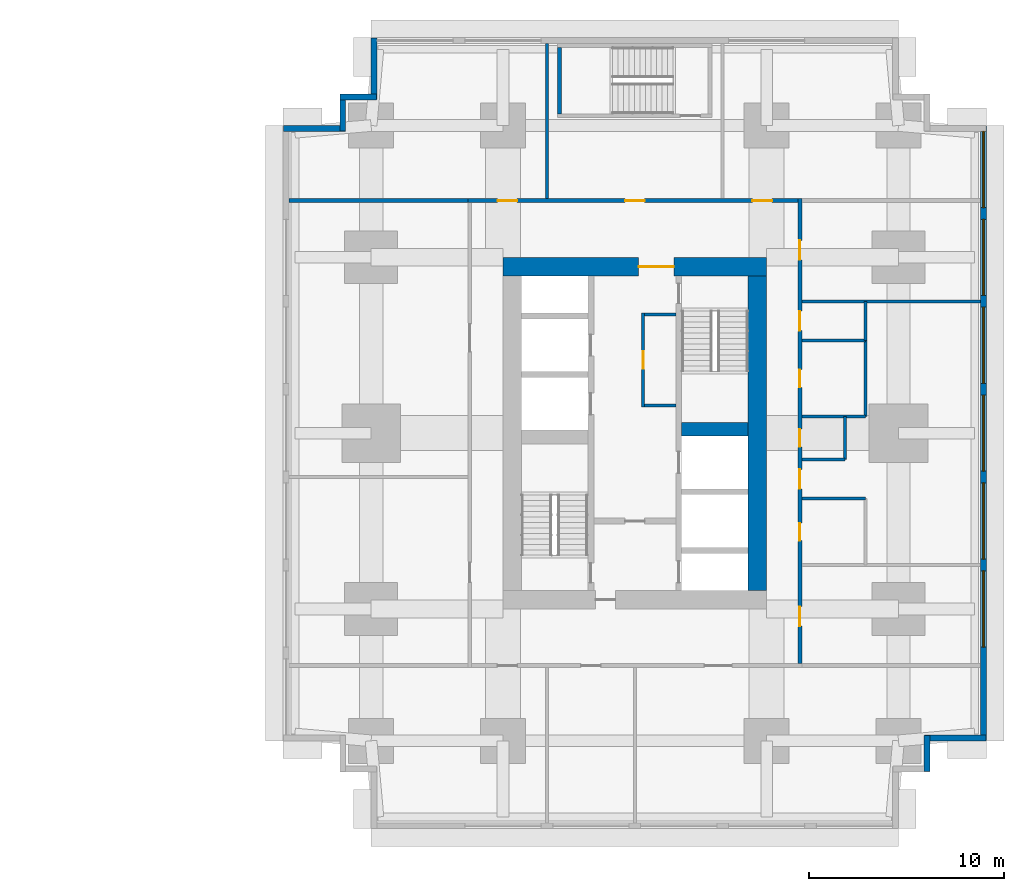
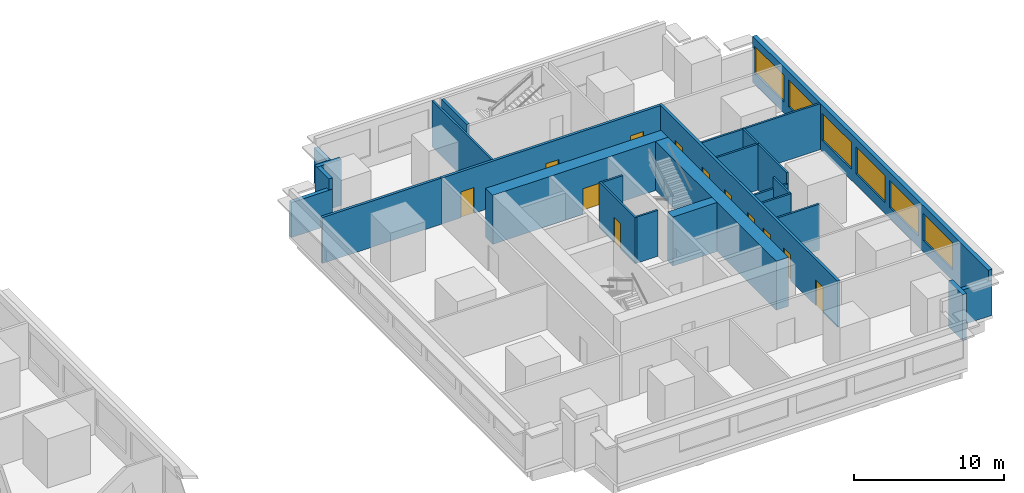
# One storey, part 7 of 11: 26 walls, 12 doors, 6 windows, 18 openings.
"""IFC4 building model written with IfcOpenShell, lengths in metres."""

import ifcopenshell
import ifcopenshell.guid

model = None  # the IFC model being written
_history = None  # IfcOwnerHistory: only IFC2X3 demands one
_inside = {}  # id of a spatial element -> (the spatial element, [elements in it])
_under = {}  # id of a project, library or spatial element -> (it, [spatial elements below it])
_declared = {}  # id of a project -> (the project, [libraries it declares])
_typed = {}  # id of a type object -> (the type object, [elements of that type])
_made_of = {}  # id of a material, layer set ... -> (it, [elements and type objects made of it])


def new_model(schema):
    """Start an empty IFC model of exactly this schema.

    Asked for "IFC4X3", IfcOpenShell would pick the latest addendum, in which some entities
    have other attributes; the version numbers below select the first issue.
    IFC2X3 requires an IfcOwnerHistory on every rooted entity: one is made here for all.
    """
    global model, _history
    if schema == "IFC4X3":
        model = ifcopenshell.file(schema_version=(4, 3, 0, 0))
    else:
        model = ifcopenshell.file(schema=schema)
    _inside.clear()
    _under.clear()
    _declared.clear()
    _typed.clear()
    _made_of.clear()
    _history = None
    if model.schema == "IFC2X3":
        org = make("IfcOrganization", Name="unknown")
        user = make(
            "IfcPersonAndOrganization",
            ThePerson=make("IfcPerson", FamilyName="unknown"),
            TheOrganization=org,
        )
        app = make(
            "IfcApplication",
            ApplicationDeveloper=org,
            Version="unknown",
            ApplicationFullName="unknown",
            ApplicationIdentifier="unknown",
        )
        _history = make(
            "IfcOwnerHistory",
            OwningUser=user,
            OwningApplication=app,
            ChangeAction="ADDED",
            CreationDate=0,
        )
    return model


def make(cls, **values):
    """One entity of the class cls with the attributes given. An attribute that is None is left unset."""
    return model.create_entity(
        cls, **{name: value for name, value in values.items() if value is not None}
    )


def rooted(cls, **values):
    """An entity with a GlobalId (a new one), such as an element, a storey or a relation."""
    return make(cls, GlobalId=ifcopenshell.guid.new(), OwnerHistory=_history, **values)


def si_unit(unit_type, name, prefix=None):
    """IfcSIUnit, for example si_unit("LENGTHUNIT", "METRE", prefix="MILLI")."""
    return make("IfcSIUnit", UnitType=unit_type, Prefix=prefix, Name=name)


def assignment(units):
    """IfcUnitAssignment: the units of a project."""
    return None if units is None else make("IfcUnitAssignment", Units=units)


def point(xyz):
    """IfcCartesianPoint."""
    return None if xyz is None else make("IfcCartesianPoint", Coordinates=xyz)


def direction(xyz):
    """IfcDirection."""
    return None if xyz is None else make("IfcDirection", DirectionRatios=xyz)


def frame(location, z_axis=None, x_axis=None):
    """IfcAxis2Placement3D, a coordinate frame: its origin and axes. An axis left out is left unset."""
    return make(
        "IfcAxis2Placement3D",
        Location=point(location),
        Axis=direction(z_axis),
        RefDirection=direction(x_axis),
    )


def frame_2d(location, x_axis=None):
    """IfcAxis2Placement2D, a coordinate frame in the plane: its origin and x axis."""
    return make(
        "IfcAxis2Placement2D", Location=point(location), RefDirection=direction(x_axis)
    )


def origin():
    """The frame at (0, 0, 0) with its axes left unset."""
    return frame((0.0, 0.0, 0.0))


def place(relative_to, where):
    """IfcLocalPlacement: puts the frame where relative to a parent placement (None: the world)."""
    return make(
        "IfcLocalPlacement", PlacementRelTo=relative_to, RelativePlacement=where
    )


def context(
    kind, dimensions, precision=None, world=None, true_north=None, identifier=None
):
    """IfcGeometricRepresentationContext, for example the 3D "Model" context."""
    return make(
        "IfcGeometricRepresentationContext",
        ContextIdentifier=identifier,
        ContextType=kind,
        CoordinateSpaceDimension=dimensions,
        Precision=precision,
        WorldCoordinateSystem=world,
        TrueNorth=true_north,
    )


def subcontext(parent, identifier, kind, view, scale=None):
    """IfcGeometricRepresentationSubContext, for example "Body" below "Model"."""
    return make(
        "IfcGeometricRepresentationSubContext",
        ContextIdentifier=identifier,
        ContextType=kind,
        ParentContext=parent,
        TargetScale=scale,
        TargetView=view,
    )


def project(units=None, contexts=None):
    """IfcProject with its units and contexts."""
    return rooted(
        "IfcProject",
        Name="project",
        RepresentationContexts=contexts,
        UnitsInContext=assignment(units),
    )


def spatial(cls, under=None, at=None, **own):
    """A site, building, storey or space (cls), placed at a placement, below another one or the project."""
    s = rooted(cls, ObjectPlacement=at, **own)
    if under is not None:
        _under.setdefault(under.id(), (under, []))[1].append(s)
    return s


def profile(cls, at=None, kind="AREA", **sizes):
    """A parametric profile (cls). Its sizes go by their IFC names, for example OverallWidth=200.0."""
    return make(cls, ProfileType=kind, Position=at, **sizes)


def rectangle(**sizes):
    """IfcRectangleProfileDef."""
    return profile("IfcRectangleProfileDef", **sizes)


def extrude(swept, where, along, depth):
    """IfcExtrudedAreaSolid: the profile swept, set in the frame where, extruded along a direction by depth."""
    return make(
        "IfcExtrudedAreaSolid",
        SweptArea=swept,
        Position=where,
        ExtrudedDirection=direction(along),
        Depth=depth,
    )


def shape(context_of_items, identifier, shape_type, items):
    """IfcShapeRepresentation: the items that make up one representation, for example the "Body"."""
    return make(
        "IfcShapeRepresentation",
        ContextOfItems=context_of_items,
        RepresentationIdentifier=identifier,
        RepresentationType=shape_type,
        Items=items,
    )


def material(Name=None, Category=None):
    """IfcMaterial."""
    return make("IfcMaterial", Name=Name, Category=Category)


def layer(
    of_material, thickness, ventilated=None, Name=None, Category=None, Priority=None
):
    """IfcMaterialLayer: one layer of a wall or slab, of a material (None: an air gap)."""
    return make(
        "IfcMaterialLayer",
        Material=of_material,
        LayerThickness=thickness,
        IsVentilated=ventilated,
        Name=Name,
        Category=Category,
        Priority=Priority,
    )


def layer_set(layers, Name=None):
    """IfcMaterialLayerSet."""
    return make("IfcMaterialLayerSet", MaterialLayers=layers, LayerSetName=Name)


def made_of(thing, what):
    """Note that an element or type object is made of a material, layer set ...; save() writes the relation."""
    if what is not None:
        _made_of.setdefault(what.id(), (what, []))[1].append(thing)
    return thing


def type_object(cls, material=None, **own):
    """A type object (cls), such as IfcWallType, which elements share."""
    return made_of(rooted(cls, **own), material)


def element(
    cls,
    number,
    at=None,
    inside=None,
    cuts=None,
    type_object=None,
    material=None,
    context=None,
    identifier="Body",
    shape_type=None,
    held_by="IfcProductDefinitionShape",
    body=None,
    shapes=None,
    **own,
):
    """One element of the class cls, such as IfcWall. Its Tag is "e" and its number.

    at: its placement. inside: the storey or other place that contains it. cuts: it is an
    opening in that element (IfcRelVoidsElement). A single representation is given by context,
    identifier, shape_type and body (its items); several are given by shapes. held_by: the class
    of the entity that holds the representations. save() writes the other relations.
    """
    e = rooted(cls, Tag="e%d" % number, ObjectPlacement=at, **own)
    if body is not None:
        shapes = [shape(context, identifier, shape_type, body)]
    if shapes is not None:
        e.Representation = make(held_by, Representations=shapes)
    if inside is not None:
        _inside.setdefault(inside.id(), (inside, []))[1].append(e)
    if cuts is not None:
        rooted(
            "IfcRelVoidsElement", RelatingBuildingElement=cuts, RelatedOpeningElement=e
        )
    if type_object is not None:
        _typed.setdefault(type_object.id(), (type_object, []))[1].append(e)
    return made_of(e, material)


def fill(opening, filler):
    """IfcRelFillsElement: the door or window that sits in an opening."""
    return rooted(
        "IfcRelFillsElement",
        RelatingOpeningElement=opening,
        RelatedBuildingElement=filler,
    )


def aggregate(whole, parts):
    """IfcRelAggregates: a whole, such as a stair, and the parts it consists of."""
    return rooted("IfcRelAggregates", RelatingObject=whole, RelatedObjects=parts)


def save(model, path):
    """Write the relations noted so far, then the file.

    IfcRelAggregates (storeys below a building ...), IfcRelContainedInSpatialStructure (elements
    in a storey), IfcRelDefinesByType, IfcRelAssociatesMaterial and IfcRelDeclares: one each for
    every whole, place, type object, material and project.
    """
    for whole, parts in _under.values():
        aggregate(whole, parts)
    for where, things in _inside.values():
        rooted(
            "IfcRelContainedInSpatialStructure",
            RelatedElements=things,
            RelatingStructure=where,
        )
    for kind, things in _typed.values():
        rooted("IfcRelDefinesByType", RelatedObjects=things, RelatingType=kind)
    for what, things in _made_of.values():
        rooted("IfcRelAssociatesMaterial", RelatedObjects=things, RelatingMaterial=what)
    for by, libraries in _declared.values():
        rooted("IfcRelDeclares", RelatingContext=by, RelatedDefinitions=libraries)
    model.write(path)


model = new_model("IFC4")

# Units and contexts
model_context = context("Model", 3, precision=1e-05, world=origin(), true_north=direction((0.0, 1.0)))
body_context = subcontext(model_context, "Body", "Model", "MODEL_VIEW")
ifc_project = project(units=[si_unit("LENGTHUNIT", "METRE"), si_unit("AREAUNIT", "SQUARE_METRE"), si_unit("VOLUMEUNIT", "CUBIC_METRE"), si_unit("PLANEANGLEUNIT", "RADIAN"), si_unit("MASSUNIT", "GRAM", prefix="KILO")], contexts=[model_context])

# Site, building, storey
site_placement = place(None, origin())
site = spatial("IfcSite", under=ifc_project, at=site_placement, CompositionType="ELEMENT")
building_placement = place(site_placement, origin())
building = spatial("IfcBuilding", under=site, at=building_placement, Name="Namib Vertical Campus", CompositionType="ELEMENT")
storey_placement = place(building_placement, frame((0.0, 0.0, 41.0)))
storey = spatial("IfcBuildingStorey", under=building, at=storey_placement, Name="L09", CompositionType="ELEMENT", Elevation=41.0)

# Walls
ifc_material_1 = material(Name="Concrete C60/75", Category="concrete")
ifc_layer_1 = layer(ifc_material_1, 0.699951171875)
ifc_layer_set_1 = layer_set([ifc_layer_1], Name="Concrete C60/75")
wall_type_1 = type_object("IfcWallType", Name="Core shear wall 700", PredefinedType="SHEAR", material=ifc_layer_set_1)
wall_1_placement = place(storey_placement, frame((83.39990234375, 20.449951171875, 0.0), z_axis=(0.0, 0.0, 1.0), x_axis=(1.0, 0.0, 0.0)))
element("IfcWall", 1, at=wall_1_placement, inside=storey, type_object=wall_type_1, Name="Core shear wall B L09 W7", PredefinedType="SHEAR", context=body_context, shape_type="SweptSolid", body=[
    extrude(rectangle(XDim=3.400146484375, YDim=0.699951171875, at=frame_2d((1.7001953125, 0.0))), origin(), (0.0, 0.0, 1.0), 4.0),
])
ifc_material_2 = material(Name="Concrete C60/75", Category="concrete")
ifc_layer_2 = layer(ifc_material_2, 0.949951171875)
ifc_layer_set_2 = layer_set([ifc_layer_2], Name="Concrete C60/75")
wall_type_2 = type_object("IfcWallType", Name="Core wall 950", PredefinedType="SHEAR", material=ifc_layer_set_2)
wall_2_placement = place(storey_placement, frame((87.27490234375, 12.199951171875, 0.0), z_axis=(0.0, 0.0, 1.0), x_axis=(0.0, 1.0, 0.0)))
element("IfcWall", 2, at=wall_2_placement, inside=storey, type_object=wall_type_2, Name="Core wall B L09 2", PredefinedType="SHEAR", context=body_context, shape_type="SweptSolid", body=[
    extrude(rectangle(XDim=16.10009765625, YDim=0.949951171875, at=frame_2d((8.050048828125, 0.0))), origin(), (0.0, 0.0, 1.0), 4.0),
])

# Wall, opening, door
wall_3_placement = place(storey_placement, frame((87.75, 28.77490234375, 0.0), z_axis=(0.0, 0.0, 1.0), x_axis=(-1.0, 0.0, 0.0)))
wall_3 = element("IfcWall", 3, at=wall_3_placement, inside=storey, type_object=wall_type_2, Name="Core wall B L09 3", PredefinedType="SHEAR", context=body_context, shape_type="SweptSolid", body=[
    extrude(rectangle(XDim=13.5, YDim=0.949951171875, at=frame_2d((6.75, 0.0))), origin(), (0.0, 0.0, 1.0), 4.0),
])
opening_1_placement = place(wall_3_placement, frame((4.75, 0.0, 0.0)))
opening_1 = element("IfcOpeningElement", 4, at=opening_1_placement, cuts=wall_3, Name="Opening FD2", PredefinedType="OPENING", context=body_context, shape_type="SweptSolid", body=[
    extrude(rectangle(XDim=1.800048828125, YDim=2.10009765625, at=frame_2d((0.89990234375, 1.050048828125))), frame((0.0, 0.48486328125, 0.0), z_axis=(0.0, -1.0, 0.0), x_axis=(1.0, 0.0, 0.0)), (0.0, 0.0, 1.0), 0.969970703125),
])
ifc_material_3 = material(Name="Steel fire door", Category="steel")
door_type_1 = type_object("IfcDoorType", Name="Fire door double 1800x2100", OperationType="DOUBLE_DOOR_SINGLE_SWING", PredefinedType="DOOR", material=ifc_material_3)
door_1_placement = place(opening_1_placement, origin())
door_1 = element("IfcDoor", 5, at=door_1_placement, inside=storey, type_object=door_type_1, Name="Lift lobby door FD2 B L09", OperationType="DOUBLE_DOOR_SINGLE_SWING", OverallHeight=2.10009765625, OverallWidth=1.800048828125, PredefinedType="DOOR", context=body_context, shape_type="SweptSolid", body=[
    extrude(rectangle(XDim=1.800048828125, YDim=2.10009765625, at=frame_2d((0.89990234375, 1.050048828125))), frame((0.0, 0.02490234375, 0.0), z_axis=(0.0, -1.0, 0.0), x_axis=(1.0, 0.0, 0.0)), (0.0, 0.0, 1.0), 0.050048828125),
])
fill(opening_1, door_1)

# Wall, openings, doors
ifc_material_4 = material(Name="Concrete masonry", Category="masonry")
ifc_layer_3 = layer(ifc_material_4, 0.199951171875)
ifc_layer_set_3 = layer_set([ifc_layer_3], Name="Corridor wall 200")
wall_type_3 = type_object("IfcWallType", Name="Corridor wall 200", PredefinedType="SOLIDWALL", material=ifc_layer_set_3)
wall_4_placement = place(storey_placement, frame((89.449951171875, 8.449951171875, 0.0), z_axis=(0.0, 0.0, 1.0), x_axis=(0.0, 1.0, 0.0)))
wall_4 = element("IfcWall", 6, at=wall_4_placement, inside=storey, type_object=wall_type_3, Name="Corridor wall B L09 CE", PredefinedType="SOLIDWALL", context=body_context, shape_type="SweptSolid", body=[
    extrude(rectangle(XDim=23.800048828125, YDim=0.199951171875, at=frame_2d((11.89990234375, 0.0))), origin(), (0.0, 0.0, 1.0), 3.75),
])
opening_2_placement = place(wall_4_placement, frame((1.925048828125, 0.0, 0.0)))
opening_2 = element("IfcOpeningElement", 7, at=opening_2_placement, cuts=wall_4, Name="Opening CD1", PredefinedType="OPENING", context=body_context, shape_type="SweptSolid", body=[
    extrude(rectangle(XDim=1.0, YDim=2.10009765625, at=frame_2d((0.5, 1.050048828125))), frame((0.0, 0.10986328125, 0.0), z_axis=(0.0, -1.0, 0.0), x_axis=(1.0, 0.0, 0.0)), (0.0, 0.0, 1.0), 0.219970703125),
])
opening_3_placement = place(wall_4_placement, frame((6.300048828125, 0.0, 0.0)))
opening_3 = element("IfcOpeningElement", 8, at=opening_3_placement, cuts=wall_4, Name="Opening CD3", PredefinedType="OPENING", context=body_context, shape_type="SweptSolid", body=[
    extrude(rectangle(XDim=0.89990234375, YDim=2.10009765625, at=frame_2d((0.449951171875, 1.050048828125))), frame((0.0, 0.10986328125, 0.0), z_axis=(0.0, -1.0, 0.0), x_axis=(1.0, 0.0, 0.0)), (0.0, 0.0, 1.0), 0.219970703125),
])
opening_4_placement = place(wall_4_placement, frame((11.10009765625, 0.0, 0.0)))
opening_4 = element("IfcOpeningElement", 9, at=opening_4_placement, cuts=wall_4, Name="Opening CD3", PredefinedType="OPENING", context=body_context, shape_type="SweptSolid", body=[
    extrude(rectangle(XDim=0.89990234375, YDim=2.10009765625, at=frame_2d((0.449951171875, 1.050048828125))), frame((0.0, 0.10986328125, 0.0), z_axis=(0.0, -1.0, 0.0), x_axis=(1.0, 0.0, 0.0)), (0.0, 0.0, 1.0), 0.219970703125),
])
opening_5_placement = place(wall_4_placement, frame((14.14990234375, 0.0, 0.0)))
opening_5 = element("IfcOpeningElement", 10, at=opening_5_placement, cuts=wall_4, Name="Opening CD3", PredefinedType="OPENING", context=body_context, shape_type="SweptSolid", body=[
    extrude(rectangle(XDim=0.89990234375, YDim=2.10009765625, at=frame_2d((0.449951171875, 1.050048828125))), frame((0.0, 0.10986328125, 0.0), z_axis=(0.0, -1.0, 0.0), x_axis=(1.0, 0.0, 0.0)), (0.0, 0.0, 1.0), 0.219970703125),
])
opening_6_placement = place(wall_4_placement, frame((17.050048828125, 0.0, 0.0)))
opening_6 = element("IfcOpeningElement", 11, at=opening_6_placement, cuts=wall_4, Name="Opening CD1", PredefinedType="OPENING", context=body_context, shape_type="SweptSolid", body=[
    extrude(rectangle(XDim=1.0, YDim=2.10009765625, at=frame_2d((0.5, 1.050048828125))), frame((0.0, 0.10986328125, 0.0), z_axis=(0.0, -1.0, 0.0), x_axis=(1.0, 0.0, 0.0)), (0.0, 0.0, 1.0), 0.219970703125),
])
opening_7_placement = place(wall_4_placement, frame((8.949951171875, 0.0, 0.0)))
opening_7 = element("IfcOpeningElement", 12, at=opening_7_placement, cuts=wall_4, Name="Opening CD1", PredefinedType="OPENING", context=body_context, shape_type="SweptSolid", body=[
    extrude(rectangle(XDim=1.0, YDim=2.10009765625, at=frame_2d((0.5, 1.050048828125))), frame((0.0, 0.10986328125, 0.0), z_axis=(0.0, -1.0, 0.0), x_axis=(1.0, 0.0, 0.0)), (0.0, 0.0, 1.0), 0.219970703125),
])
opening_8_placement = place(wall_4_placement, frame((20.675048828125, 0.0, 0.0)))
opening_8 = element("IfcOpeningElement", 13, at=opening_8_placement, cuts=wall_4, Name="Opening CD1", PredefinedType="OPENING", context=body_context, shape_type="SweptSolid", body=[
    extrude(rectangle(XDim=1.0, YDim=2.10009765625, at=frame_2d((0.5, 1.050048828125))), frame((0.0, 0.10986328125, 0.0), z_axis=(0.0, -1.0, 0.0), x_axis=(1.0, 0.0, 0.0)), (0.0, 0.0, 1.0), 0.219970703125),
])
ifc_material_5 = material(Name="Timber fire door leaf", Category="wood")
door_type_2 = type_object("IfcDoorType", Name="Corridor door 1000x2100 20 min", OperationType="SINGLE_SWING_LEFT", PredefinedType="DOOR", material=ifc_material_5)
door_2_placement = place(opening_2_placement, frame((1.0, 0.0, 0.0), z_axis=(0.0, 0.0, 1.0), x_axis=(-1.0, 0.0, 0.0)))
door_2 = element("IfcDoor", 14, at=door_2_placement, inside=storey, type_object=door_type_2, Name="Door CD1 B09-04", OperationType="SINGLE_SWING_RIGHT", OverallHeight=2.10009765625, OverallWidth=1.0, PredefinedType="DOOR", context=body_context, shape_type="SweptSolid", body=[
    extrude(rectangle(XDim=1.0, YDim=2.10009765625, at=frame_2d((0.5, 1.050048828125))), frame((0.0, 0.02490234375, 0.0), z_axis=(0.0, -1.0, 0.0), x_axis=(1.0, 0.0, 0.0)), (0.0, 0.0, 1.0), 0.050048828125),
])
fill(opening_2, door_2)
door_3_placement = place(opening_6_placement, frame((1.0, 0.0, 0.0), z_axis=(0.0, 0.0, 1.0), x_axis=(-1.0, 0.0, 0.0)))
door_3 = element("IfcDoor", 15, at=door_3_placement, inside=storey, type_object=door_type_2, Name="Door CD1 B09-08", OperationType="SINGLE_SWING_RIGHT", OverallHeight=2.10009765625, OverallWidth=1.0, PredefinedType="DOOR", context=body_context, shape_type="SweptSolid", body=[
    extrude(rectangle(XDim=1.0, YDim=2.10009765625, at=frame_2d((0.5, 1.050048828125))), frame((0.0, 0.02490234375, 0.0), z_axis=(0.0, -1.0, 0.0), x_axis=(1.0, 0.0, 0.0)), (0.0, 0.0, 1.0), 0.050048828125),
])
fill(opening_6, door_3)
door_4_placement = place(opening_7_placement, frame((1.0, 0.0, 0.0), z_axis=(0.0, 0.0, 1.0), x_axis=(-1.0, 0.0, 0.0)))
door_4 = element("IfcDoor", 16, at=door_4_placement, inside=storey, type_object=door_type_2, Name="Door CD1 B09-09", OperationType="SINGLE_SWING_RIGHT", OverallHeight=2.10009765625, OverallWidth=1.0, PredefinedType="DOOR", context=body_context, shape_type="SweptSolid", body=[
    extrude(rectangle(XDim=1.0, YDim=2.10009765625, at=frame_2d((0.5, 1.050048828125))), frame((0.0, 0.02490234375, 0.0), z_axis=(0.0, -1.0, 0.0), x_axis=(1.0, 0.0, 0.0)), (0.0, 0.0, 1.0), 0.050048828125),
])
fill(opening_7, door_4)
door_5_placement = place(opening_8_placement, frame((1.0, 0.0, 0.0), z_axis=(0.0, 0.0, 1.0), x_axis=(-1.0, 0.0, 0.0)))
door_5 = element("IfcDoor", 17, at=door_5_placement, inside=storey, type_object=door_type_2, Name="Door CD1 B09-10", OperationType="SINGLE_SWING_RIGHT", OverallHeight=2.10009765625, OverallWidth=1.0, PredefinedType="DOOR", context=body_context, shape_type="SweptSolid", body=[
    extrude(rectangle(XDim=1.0, YDim=2.10009765625, at=frame_2d((0.5, 1.050048828125))), frame((0.0, 0.02490234375, 0.0), z_axis=(0.0, -1.0, 0.0), x_axis=(1.0, 0.0, 0.0)), (0.0, 0.0, 1.0), 0.050048828125),
])
fill(opening_8, door_5)
ifc_material_6 = material(Name="Timber fire door leaf", Category="wood")
door_type_3 = type_object("IfcDoorType", Name="Corridor toilet door 900x2100 20 min", OperationType="SINGLE_SWING_LEFT", PredefinedType="DOOR", material=ifc_material_6)
door_6_placement = place(opening_3_placement, frame((0.89990234375, 0.0, 0.0), z_axis=(0.0, 0.0, 1.0), x_axis=(-1.0, 0.0, 0.0)))
door_6 = element("IfcDoor", 18, at=door_6_placement, inside=storey, type_object=door_type_3, Name="Door CD3 B09-05", OperationType="SINGLE_SWING_RIGHT", OverallHeight=2.10009765625, OverallWidth=0.89990234375, PredefinedType="DOOR", context=body_context, shape_type="SweptSolid", body=[
    extrude(rectangle(XDim=0.89990234375, YDim=2.10009765625, at=frame_2d((0.449951171875, 1.050048828125))), frame((0.0, 0.02490234375, 0.0), z_axis=(0.0, -1.0, 0.0), x_axis=(1.0, 0.0, 0.0)), (0.0, 0.0, 1.0), 0.050048828125),
])
fill(opening_3, door_6)
door_7_placement = place(opening_4_placement, frame((0.89990234375, 0.0, 0.0), z_axis=(0.0, 0.0, 1.0), x_axis=(-1.0, 0.0, 0.0)))
door_7 = element("IfcDoor", 19, at=door_7_placement, inside=storey, type_object=door_type_3, Name="Door CD3 B09-06", OperationType="SINGLE_SWING_RIGHT", OverallHeight=2.10009765625, OverallWidth=0.89990234375, PredefinedType="DOOR", context=body_context, shape_type="SweptSolid", body=[
    extrude(rectangle(XDim=0.89990234375, YDim=2.10009765625, at=frame_2d((0.449951171875, 1.050048828125))), frame((0.0, 0.02490234375, 0.0), z_axis=(0.0, -1.0, 0.0), x_axis=(1.0, 0.0, 0.0)), (0.0, 0.0, 1.0), 0.050048828125),
])
fill(opening_4, door_7)
door_8_placement = place(opening_5_placement, frame((0.89990234375, 0.0, 0.0), z_axis=(0.0, 0.0, 1.0), x_axis=(-1.0, 0.0, 0.0)))
door_8 = element("IfcDoor", 20, at=door_8_placement, inside=storey, type_object=door_type_3, Name="Door CD3 B09-07", OperationType="SINGLE_SWING_RIGHT", OverallHeight=2.10009765625, OverallWidth=0.89990234375, PredefinedType="DOOR", context=body_context, shape_type="SweptSolid", body=[
    extrude(rectangle(XDim=0.89990234375, YDim=2.10009765625, at=frame_2d((0.449951171875, 1.050048828125))), frame((0.0, 0.02490234375, 0.0), z_axis=(0.0, -1.0, 0.0), x_axis=(1.0, 0.0, 0.0)), (0.0, 0.0, 1.0), 0.050048828125),
])
fill(opening_5, door_8)

wall_5_placement = place(storey_placement, frame((89.35009765625, 32.14990234375, 0.0), z_axis=(0.0, 0.0, 1.0), x_axis=(-1.0, 0.0, 0.0)))
wall_5 = element("IfcWall", 21, at=wall_5_placement, inside=storey, type_object=wall_type_3, Name="Corridor wall B L09 CN", PredefinedType="SOLIDWALL", context=body_context, shape_type="SweptSolid", body=[
    extrude(rectangle(XDim=16.900146484375, YDim=0.199951171875, at=frame_2d((8.4501953125, 0.0))), origin(), (0.0, 0.0, 1.0), 3.75),
])
opening_9_placement = place(wall_5_placement, frame((14.375, 0.0, 0.0)))
opening_9 = element("IfcOpeningElement", 22, at=opening_9_placement, cuts=wall_5, Name="Opening CD1", PredefinedType="OPENING", context=body_context, shape_type="SweptSolid", body=[
    extrude(rectangle(XDim=1.0, YDim=2.10009765625, at=frame_2d((0.5, 1.050048828125))), frame((0.0, 0.10986328125, 0.0), z_axis=(0.0, -1.0, 0.0), x_axis=(1.0, 0.0, 0.0)), (0.0, 0.0, 1.0), 0.219970703125),
])
opening_10_placement = place(wall_5_placement, frame((7.85009765625, 0.0, 0.0)))
opening_10 = element("IfcOpeningElement", 23, at=opening_10_placement, cuts=wall_5, Name="Opening CD1", PredefinedType="OPENING", context=body_context, shape_type="SweptSolid", body=[
    extrude(rectangle(XDim=1.0, YDim=2.10009765625, at=frame_2d((0.5, 1.050048828125))), frame((0.0, 0.10986328125, 0.0), z_axis=(0.0, -1.0, 0.0), x_axis=(1.0, 0.0, 0.0)), (0.0, 0.0, 1.0), 0.219970703125),
])
opening_11_placement = place(wall_5_placement, frame((1.324951171875, 0.0, 0.0)))
opening_11 = element("IfcOpeningElement", 24, at=opening_11_placement, cuts=wall_5, Name="Opening CD1", PredefinedType="OPENING", context=body_context, shape_type="SweptSolid", body=[
    extrude(rectangle(XDim=1.0, YDim=2.10009765625, at=frame_2d((0.5, 1.050048828125))), frame((0.0, 0.10986328125, 0.0), z_axis=(0.0, -1.0, 0.0), x_axis=(1.0, 0.0, 0.0)), (0.0, 0.0, 1.0), 0.219970703125),
])
door_9_placement = place(opening_9_placement, frame((1.0, 0.0, 0.0), z_axis=(0.0, 0.0, 1.0), x_axis=(-1.0, 0.0, 0.0)))
door_9 = element("IfcDoor", 25, at=door_9_placement, inside=storey, type_object=door_type_2, Name="Door CD1 B09-11", OperationType="SINGLE_SWING_RIGHT", OverallHeight=2.10009765625, OverallWidth=1.0, PredefinedType="DOOR", context=body_context, shape_type="SweptSolid", body=[
    extrude(rectangle(XDim=1.0, YDim=2.10009765625, at=frame_2d((0.5, 1.050048828125))), frame((0.0, 0.02490234375, 0.0), z_axis=(0.0, -1.0, 0.0), x_axis=(1.0, 0.0, 0.0)), (0.0, 0.0, 1.0), 0.050048828125),
])
fill(opening_9, door_9)
door_10_placement = place(opening_10_placement, frame((1.0, 0.0, 0.0), z_axis=(0.0, 0.0, 1.0), x_axis=(-1.0, 0.0, 0.0)))
door_10 = element("IfcDoor", 26, at=door_10_placement, inside=storey, type_object=door_type_2, Name="Door CD1 B09-12", OperationType="SINGLE_SWING_RIGHT", OverallHeight=2.10009765625, OverallWidth=1.0, PredefinedType="DOOR", context=body_context, shape_type="SweptSolid", body=[
    extrude(rectangle(XDim=1.0, YDim=2.10009765625, at=frame_2d((0.5, 1.050048828125))), frame((0.0, 0.02490234375, 0.0), z_axis=(0.0, -1.0, 0.0), x_axis=(1.0, 0.0, 0.0)), (0.0, 0.0, 1.0), 0.050048828125),
])
fill(opening_10, door_10)
door_11_placement = place(opening_11_placement, frame((1.0, 0.0, 0.0), z_axis=(0.0, 0.0, 1.0), x_axis=(-1.0, 0.0, 0.0)))
door_11 = element("IfcDoor", 27, at=door_11_placement, inside=storey, type_object=door_type_2, Name="Door CD1 B09-13", OperationType="SINGLE_SWING_LEFT", OverallHeight=2.10009765625, OverallWidth=1.0, PredefinedType="DOOR", context=body_context, shape_type="SweptSolid", body=[
    extrude(rectangle(XDim=1.0, YDim=2.10009765625, at=frame_2d((0.5, 1.050048828125))), frame((0.0, 0.02490234375, 0.0), z_axis=(0.0, -1.0, 0.0), x_axis=(1.0, 0.0, 0.0)), (0.0, 0.0, 1.0), 0.050048828125),
])
fill(opening_11, door_11)

# Walls
wall_6_placement = place(storey_placement, frame((63.300048828125, 32.14990234375, 0.0), z_axis=(0.0, 0.0, 1.0), x_axis=(1.0, 0.0, 0.0)))
element("IfcWall", 28, at=wall_6_placement, inside=storey, type_object=wall_type_3, Name="Partition B L09 BNW", PredefinedType="SOLIDWALL", context=body_context, shape_type="SweptSolid", body=[
    extrude(rectangle(XDim=9.14990234375, YDim=0.199951171875, at=frame_2d((4.574951171875, 0.0))), origin(), (0.0, 0.0, 1.0), 3.75),
])
ifc_material_7 = material(Name="Concrete C40/50", Category="concrete")
ifc_layer_4 = layer(ifc_material_7, 0.300048828125)
ifc_layer_set_4 = layer_set([ifc_layer_4], Name="Concrete C40/50")
wall_type_4 = type_object("IfcWallType", Name="External wall 300 board-marked concrete", PredefinedType="STANDARD", material=ifc_layer_set_4)
wall_7_placement = place(storey_placement, frame((95.949951171875, 2.919921875, 0.0), z_axis=(0.0, 0.0, 1.0), x_axis=(0.0, 1.0, 0.0)))
element("IfcWall", 29, at=wall_7_placement, inside=storey, type_object=wall_type_4, Name="External wall L09 F04", PredefinedType="STANDARD", context=body_context, shape_type="SweptSolid", body=[
    extrude(rectangle(XDim=1.860107421875, YDim=0.300048828125, at=frame_2d((0.93017578125, 0.0))), origin(), (0.0, 0.0, 1.0), 3.75),
])
wall_8_placement = place(storey_placement, frame((95.820068359375, 4.64990234375, 0.0), z_axis=(0.0, 0.0, 1.0), x_axis=(1.0, 0.0, 0.0)))
element("IfcWall", 30, at=wall_8_placement, inside=storey, type_object=wall_type_4, Name="External wall L09 F05", PredefinedType="STANDARD", context=body_context, shape_type="SweptSolid", body=[
    extrude(rectangle(XDim=3.159912109375, YDim=0.300048828125, at=frame_2d((1.580078125, 0.0))), origin(), (0.0, 0.0, 1.0), 2.85009765625),
])

# Wall, openings, windows
wall_9_placement = place(storey_placement, frame((98.85009765625, 4.52001953125, 0.0), z_axis=(0.0, 0.0, 1.0), x_axis=(0.0, 1.0, 0.0)))
wall_9 = element("IfcWall", 31, at=wall_9_placement, inside=storey, type_object=wall_type_4, Name="External wall L09 F06", PredefinedType="STANDARD", context=body_context, shape_type="SweptSolid", body=[
    extrude(rectangle(XDim=31.4599609375, YDim=0.300048828125, at=frame_2d((15.72998046875, 0.0))), origin(), (0.0, 0.0, 1.0), 3.75),
])
opening_12_placement = place(wall_9_placement, frame((4.780029296875, 0.0, 0.89990234375)))
opening_12 = element("IfcOpeningElement", 32, at=opening_12_placement, cuts=wall_9, Name="Opening W1", PredefinedType="OPENING", context=body_context, shape_type="SweptSolid", body=[
    extrude(rectangle(XDim=3.89990234375, YDim=2.199951171875, at=frame_2d((1.949951171875, 1.10009765625))), frame((0.0, 0.159912109375, 0.0), z_axis=(0.0, -1.0, 0.0), x_axis=(1.0, 0.0, 0.0)), (0.0, 0.0, 1.0), 0.320068359375),
])
opening_13_placement = place(wall_9_placement, frame((9.280029296875, 0.0, 0.89990234375)))
opening_13 = element("IfcOpeningElement", 33, at=opening_13_placement, cuts=wall_9, Name="Opening W1", PredefinedType="OPENING", context=body_context, shape_type="SweptSolid", body=[
    extrude(rectangle(XDim=3.89990234375, YDim=2.199951171875, at=frame_2d((1.949951171875, 1.10009765625))), frame((0.0, 0.159912109375, 0.0), z_axis=(0.0, -1.0, 0.0), x_axis=(1.0, 0.0, 0.0)), (0.0, 0.0, 1.0), 0.320068359375),
])
opening_14_placement = place(wall_9_placement, frame((13.780029296875, 0.0, 0.89990234375)))
opening_14 = element("IfcOpeningElement", 34, at=opening_14_placement, cuts=wall_9, Name="Opening W1", PredefinedType="OPENING", context=body_context, shape_type="SweptSolid", body=[
    extrude(rectangle(XDim=3.89990234375, YDim=2.199951171875, at=frame_2d((1.949951171875, 1.10009765625))), frame((0.0, 0.159912109375, 0.0), z_axis=(0.0, -1.0, 0.0), x_axis=(1.0, 0.0, 0.0)), (0.0, 0.0, 1.0), 0.320068359375),
])
opening_15_placement = place(wall_9_placement, frame((18.280029296875, 0.0, 0.89990234375)))
opening_15 = element("IfcOpeningElement", 35, at=opening_15_placement, cuts=wall_9, Name="Opening W1", PredefinedType="OPENING", context=body_context, shape_type="SweptSolid", body=[
    extrude(rectangle(XDim=3.89990234375, YDim=2.199951171875, at=frame_2d((1.949951171875, 1.10009765625))), frame((0.0, 0.159912109375, 0.0), z_axis=(0.0, -1.0, 0.0), x_axis=(1.0, 0.0, 0.0)), (0.0, 0.0, 1.0), 0.320068359375),
])
opening_16_placement = place(wall_9_placement, frame((22.780029296875, 0.0, 0.89990234375)))
opening_16 = element("IfcOpeningElement", 36, at=opening_16_placement, cuts=wall_9, Name="Opening W1", PredefinedType="OPENING", context=body_context, shape_type="SweptSolid", body=[
    extrude(rectangle(XDim=3.89990234375, YDim=2.199951171875, at=frame_2d((1.949951171875, 1.10009765625))), frame((0.0, 0.159912109375, 0.0), z_axis=(0.0, -1.0, 0.0), x_axis=(1.0, 0.0, 0.0)), (0.0, 0.0, 1.0), 0.320068359375),
])
opening_17_placement = place(wall_9_placement, frame((27.280029296875, 0.0, 0.89990234375)))
opening_17 = element("IfcOpeningElement", 37, at=opening_17_placement, cuts=wall_9, Name="Opening W1", PredefinedType="OPENING", context=body_context, shape_type="SweptSolid", body=[
    extrude(rectangle(XDim=3.89990234375, YDim=2.199951171875, at=frame_2d((1.949951171875, 1.10009765625))), frame((0.0, 0.159912109375, 0.0), z_axis=(0.0, -1.0, 0.0), x_axis=(1.0, 0.0, 0.0)), (0.0, 0.0, 1.0), 0.320068359375),
])
ifc_material_8 = material(Name="Dark tinted glass in black aluminium frame", Category="aluminium")
window_type = type_object("IfcWindowType", Name="Ribbon window 3900x2200", PartitioningType="SINGLE_PANEL", PredefinedType="WINDOW", material=ifc_material_8)
window_1_placement = place(opening_12_placement, origin())
window_1 = element("IfcWindow", 38, at=window_1_placement, inside=storey, type_object=window_type, Name="Window W1 L09 F06-2", OverallHeight=2.199951171875, OverallWidth=3.89990234375, PartitioningType="SINGLE_PANEL", PredefinedType="WINDOW", context=body_context, shape_type="SweptSolid", body=[
    extrude(rectangle(XDim=3.89990234375, YDim=2.199951171875, at=frame_2d((1.949951171875, 1.10009765625))), frame((0.0, 0.030029296875, 0.0), z_axis=(0.0, -1.0, 0.0), x_axis=(1.0, 0.0, 0.0)), (0.0, 0.0, 1.0), 0.06005859375),
])
fill(opening_12, window_1)
window_2_placement = place(opening_13_placement, origin())
window_2 = element("IfcWindow", 39, at=window_2_placement, inside=storey, type_object=window_type, Name="Window W1 L09 F06-3", OverallHeight=2.199951171875, OverallWidth=3.89990234375, PartitioningType="SINGLE_PANEL", PredefinedType="WINDOW", context=body_context, shape_type="SweptSolid", body=[
    extrude(rectangle(XDim=3.89990234375, YDim=2.199951171875, at=frame_2d((1.949951171875, 1.10009765625))), frame((0.0, 0.030029296875, 0.0), z_axis=(0.0, -1.0, 0.0), x_axis=(1.0, 0.0, 0.0)), (0.0, 0.0, 1.0), 0.06005859375),
])
fill(opening_13, window_2)
window_3_placement = place(opening_14_placement, origin())
window_3 = element("IfcWindow", 40, at=window_3_placement, inside=storey, type_object=window_type, Name="Window W1 L09 F06-4", OverallHeight=2.199951171875, OverallWidth=3.89990234375, PartitioningType="SINGLE_PANEL", PredefinedType="WINDOW", context=body_context, shape_type="SweptSolid", body=[
    extrude(rectangle(XDim=3.89990234375, YDim=2.199951171875, at=frame_2d((1.949951171875, 1.10009765625))), frame((0.0, 0.030029296875, 0.0), z_axis=(0.0, -1.0, 0.0), x_axis=(1.0, 0.0, 0.0)), (0.0, 0.0, 1.0), 0.06005859375),
])
fill(opening_14, window_3)
window_4_placement = place(opening_15_placement, origin())
window_4 = element("IfcWindow", 41, at=window_4_placement, inside=storey, type_object=window_type, Name="Window W1 L09 F06-5", OverallHeight=2.199951171875, OverallWidth=3.89990234375, PartitioningType="SINGLE_PANEL", PredefinedType="WINDOW", context=body_context, shape_type="SweptSolid", body=[
    extrude(rectangle(XDim=3.89990234375, YDim=2.199951171875, at=frame_2d((1.949951171875, 1.10009765625))), frame((0.0, 0.030029296875, 0.0), z_axis=(0.0, -1.0, 0.0), x_axis=(1.0, 0.0, 0.0)), (0.0, 0.0, 1.0), 0.06005859375),
])
fill(opening_15, window_4)
window_5_placement = place(opening_16_placement, origin())
window_5 = element("IfcWindow", 42, at=window_5_placement, inside=storey, type_object=window_type, Name="Window W1 L09 F06-6", OverallHeight=2.199951171875, OverallWidth=3.89990234375, PartitioningType="SINGLE_PANEL", PredefinedType="WINDOW", context=body_context, shape_type="SweptSolid", body=[
    extrude(rectangle(XDim=3.89990234375, YDim=2.199951171875, at=frame_2d((1.949951171875, 1.10009765625))), frame((0.0, 0.030029296875, 0.0), z_axis=(0.0, -1.0, 0.0), x_axis=(1.0, 0.0, 0.0)), (0.0, 0.0, 1.0), 0.06005859375),
])
fill(opening_16, window_5)
window_6_placement = place(opening_17_placement, origin())
window_6 = element("IfcWindow", 43, at=window_6_placement, inside=storey, type_object=window_type, Name="Window W1 L09 F06-7", OverallHeight=2.199951171875, OverallWidth=3.89990234375, PartitioningType="SINGLE_PANEL", PredefinedType="WINDOW", context=body_context, shape_type="SweptSolid", body=[
    extrude(rectangle(XDim=3.89990234375, YDim=2.199951171875, at=frame_2d((1.949951171875, 1.10009765625))), frame((0.0, 0.030029296875, 0.0), z_axis=(0.0, -1.0, 0.0), x_axis=(1.0, 0.0, 0.0)), (0.0, 0.0, 1.0), 0.06005859375),
])
fill(opening_17, window_6)

# Walls
wall_10_placement = place(storey_placement, frame((67.64990234375, 40.47998046875, 0.0), z_axis=(0.0, 0.0, 1.0), x_axis=(0.0, -1.0, 0.0)))
element("IfcWall", 44, at=wall_10_placement, inside=storey, type_object=wall_type_4, Name="External wall L09 F12", PredefinedType="STANDARD", context=body_context, shape_type="SweptSolid", body=[
    extrude(rectangle(XDim=3.159912109375, YDim=0.300048828125, at=frame_2d((1.580078125, 0.0))), origin(), (0.0, 0.0, 1.0), 2.85009765625),
])
for number, where, z_axis, x_axis, name in (
    (45, (67.780029296875, 37.449951171875, 0.0), (0.0, 0.0, 1.0), (-1.0, 0.0, 0.0), "External wall L09 F13"),
    (46, (66.050048828125, 37.580078125, 0.0), (0.0, 0.0, 1.0), (0.0, -1.0, 0.0), "External wall L09 F14"),
):
    element("IfcWall", number, at=place(storey_placement, frame(where, z_axis=z_axis, x_axis=x_axis)), inside=storey, type_object=wall_type_4, Name=name, PredefinedType="STANDARD", context=body_context, shape_type="SweptSolid", body=[
        extrude(rectangle(XDim=1.860107421875, YDim=0.300048828125, at=frame_2d((0.93017578125, 0.0))), origin(), (0.0, 0.0, 1.0), 3.75),
    ])
wall_11_placement = place(storey_placement, frame((66.179931640625, 35.85009765625, 0.0), z_axis=(0.0, 0.0, 1.0), x_axis=(-1.0, 0.0, 0.0)))
element("IfcWall", 47, at=wall_11_placement, inside=storey, type_object=wall_type_4, Name="External wall L09 F15", PredefinedType="STANDARD", context=body_context, shape_type="SweptSolid", body=[
    extrude(rectangle(XDim=3.159912109375, YDim=0.300048828125, at=frame_2d((1.580078125, 0.0))), origin(), (0.0, 0.0, 1.0), 2.85009765625),
])

# Wall, opening, door
ifc_material_9 = material(Name="Gypsum board on steel studs", Category="steel")
ifc_layer_5 = layer(ifc_material_9, 0.14990234375)
ifc_layer_set_5 = layer_set([ifc_layer_5], Name="Gypsum board on steel studs")
wall_type_5 = type_object("IfcWallType", Name="Partition 150", PredefinedType="PARTITIONING", material=ifc_layer_set_5)
wall_12_placement = place(storey_placement, frame((81.425048828125, 21.60009765625, 0.0), z_axis=(0.0, 0.0, 1.0), x_axis=(0.0, 1.0, 0.0)))
wall_12 = element("IfcWall", 48, at=wall_12_placement, inside=storey, type_object=wall_type_5, Name="Partition B L09 Staff pantry front", PredefinedType="PARTITIONING", context=body_context, shape_type="SweptSolid", body=[
    extrude(rectangle(XDim=4.7998046875, YDim=0.14990234375, at=frame_2d((2.39990234375, 0.0))), origin(), (0.0, 0.0, 1.0), 3.75),
])
opening_18_placement = place(wall_12_placement, frame((1.949951171875, 0.0, 0.0)))
opening_18 = element("IfcOpeningElement", 49, at=opening_18_placement, cuts=wall_12, Name="Opening D3", PredefinedType="OPENING", context=body_context, shape_type="SweptSolid", body=[
    extrude(rectangle(XDim=0.89990234375, YDim=2.10009765625, at=frame_2d((0.449951171875, 1.050048828125))), frame((0.0, 0.0849609375, 0.0), z_axis=(0.0, -1.0, 0.0), x_axis=(1.0, 0.0, 0.0)), (0.0, 0.0, 1.0), 0.169921875),
])
ifc_material_10 = material(Name="Timber door leaf", Category="wood")
door_type_4 = type_object("IfcDoorType", Name="Toilet door 900x2100", OperationType="SINGLE_SWING_LEFT", PredefinedType="DOOR", material=ifc_material_10)
door_12_placement = place(opening_18_placement, frame((0.89990234375, 0.0, 0.0), z_axis=(0.0, 0.0, 1.0), x_axis=(-1.0, 0.0, 0.0)))
door_12 = element("IfcDoor", 50, at=door_12_placement, inside=storey, type_object=door_type_4, Name="Door D3 Staff pantry B L09", OperationType="SINGLE_SWING_RIGHT", OverallHeight=2.10009765625, OverallWidth=0.89990234375, PredefinedType="DOOR", context=body_context, shape_type="SweptSolid", body=[
    extrude(rectangle(XDim=0.89990234375, YDim=2.10009765625, at=frame_2d((0.449951171875, 1.050048828125))), frame((0.0, 0.02490234375, 0.0), z_axis=(0.0, -1.0, 0.0), x_axis=(1.0, 0.0, 0.0)), (0.0, 0.0, 1.0), 0.050048828125),
])
fill(opening_18, door_12)

# Walls
for number, where, z_axis, x_axis, name in (
    (51, (81.5, 21.675048828125, 0.0), (0.0, 0.0, 1.0), (1.0, 0.0, 0.0), "Partition B L09 Staff pantry end 1"),
    (52, (81.5, 26.324951171875, 0.0), (0.0, 0.0, 1.0), (1.0, 0.0, 0.0), "Partition B L09 Staff pantry end 2"),
):
    element("IfcWall", number, at=place(storey_placement, frame(where, z_axis=z_axis, x_axis=x_axis)), inside=storey, type_object=wall_type_5, Name=name, PredefinedType="PARTITIONING", context=body_context, shape_type="SweptSolid", body=[
        extrude(rectangle(XDim=1.60009765625, YDim=0.14990234375, at=frame_2d((0.800048828125, 0.0))), origin(), (0.0, 0.0, 1.0), 3.75),
    ])
wall_13_placement = place(storey_placement, frame((76.5, 32.25, 0.0), z_axis=(0.0, 0.0, 1.0), x_axis=(0.0, 1.0, 0.0)))
element("IfcWall", 53, at=wall_13_placement, inside=storey, type_object=wall_type_5, Name="Partition B L09 PN1", PredefinedType="PARTITIONING", context=body_context, shape_type="SweptSolid", body=[
    extrude(rectangle(XDim=7.949951171875, YDim=0.14990234375, at=frame_2d((3.97509765625, 0.0))), origin(), (0.0, 0.0, 1.0), 3.75),
])
wall_14_placement = place(storey_placement, frame((89.550048828125, 27.0, 0.0), z_axis=(0.0, 0.0, 1.0), x_axis=(1.0, 0.0, 0.0)))
element("IfcWall", 54, at=wall_14_placement, inside=storey, type_object=wall_type_5, Name="Partition B L09 PE2", PredefinedType="PARTITIONING", context=body_context, shape_type="SweptSolid", body=[
    extrude(rectangle(XDim=9.14990234375, YDim=0.14990234375, at=frame_2d((4.574951171875, 0.0))), origin(), (0.0, 0.0, 1.0), 3.75),
])
wall_15_placement = place(storey_placement, frame((89.550048828125, 16.89990234375, 0.0), z_axis=(0.0, 0.0, 1.0), x_axis=(1.0, 0.0, 0.0)))
element("IfcWall", 55, at=wall_15_placement, inside=storey, type_object=wall_type_5, Name="Partition B L09 WR1", PredefinedType="PARTITIONING", context=body_context, shape_type="SweptSolid", body=[
    extrude(rectangle(XDim=3.25, YDim=0.14990234375, at=frame_2d((1.625, 0.0))), origin(), (0.0, 0.0, 1.0), 3.75),
])
wall_16_placement = place(storey_placement, frame((89.550048828125, 18.89990234375, 0.0), z_axis=(0.0, 0.0, 1.0), x_axis=(1.0, 0.0, 0.0)))
element("IfcWall", 56, at=wall_16_placement, inside=storey, type_object=wall_type_5, Name="Partition B L09 WR2", PredefinedType="PARTITIONING", context=body_context, shape_type="SweptSolid", body=[
    extrude(rectangle(XDim=2.199951171875, YDim=0.14990234375, at=frame_2d((1.10009765625, 0.0))), origin(), (0.0, 0.0, 1.0), 3.75),
])
wall_17_placement = place(storey_placement, frame((89.550048828125, 21.10009765625, 0.0), z_axis=(0.0, 0.0, 1.0), x_axis=(1.0, 0.0, 0.0)))
element("IfcWall", 57, at=wall_17_placement, inside=storey, type_object=wall_type_5, Name="Partition B L09 WR3", PredefinedType="PARTITIONING", context=body_context, shape_type="SweptSolid", body=[
    extrude(rectangle(XDim=3.25, YDim=0.14990234375, at=frame_2d((1.625, 0.0))), origin(), (0.0, 0.0, 1.0), 2.85009765625),
])
wall_18_placement = place(storey_placement, frame((89.550048828125, 25.0, 0.0), z_axis=(0.0, 0.0, 1.0), x_axis=(1.0, 0.0, 0.0)))
element("IfcWall", 58, at=wall_18_placement, inside=storey, type_object=wall_type_5, Name="Partition B L09 WR4", PredefinedType="PARTITIONING", context=body_context, shape_type="SweptSolid", body=[
    extrude(rectangle(XDim=3.25, YDim=0.14990234375, at=frame_2d((1.625, 0.0))), origin(), (0.0, 0.0, 1.0), 3.75),
])
wall_19_placement = place(storey_placement, frame((91.75, 18.89990234375, 0.0), z_axis=(0.0, 0.0, 1.0), x_axis=(0.0, 1.0, 0.0)))
element("IfcWall", 59, at=wall_19_placement, inside=storey, type_object=wall_type_5, Name="Partition B L09 WB2", PredefinedType="PARTITIONING", context=body_context, shape_type="SweptSolid", body=[
    extrude(rectangle(XDim=2.2001953125, YDim=0.14990234375, at=frame_2d((1.10009765625, 0.0))), origin(), (0.0, 0.0, 1.0), 3.75),
])
wall_20_placement = place(storey_placement, frame((92.800048828125, 21.10009765625, 0.0), z_axis=(0.0, 0.0, 1.0), x_axis=(0.0, 1.0, 0.0)))
element("IfcWall", 60, at=wall_20_placement, inside=storey, type_object=wall_type_5, Name="Partition B L09 WB3", PredefinedType="PARTITIONING", context=body_context, shape_type="SweptSolid", body=[
    extrude(rectangle(XDim=3.89990234375, YDim=0.14990234375, at=frame_2d((1.949951171875, 0.0))), origin(), (0.0, 0.0, 1.0), 3.75),
])
wall_21_placement = place(storey_placement, frame((92.800048828125, 25.0, 0.0), z_axis=(0.0, 0.0, 1.0), x_axis=(0.0, 1.0, 0.0)))
element("IfcWall", 61, at=wall_21_placement, inside=storey, type_object=wall_type_5, Name="Partition B L09 WB4", PredefinedType="PARTITIONING", context=body_context, shape_type="SweptSolid", body=[
    extrude(rectangle(XDim=2.0, YDim=0.14990234375, at=frame_2d((1.0, 0.0))), origin(), (0.0, 0.0, 1.0), 3.75),
])
ifc_material_11 = material(Name="Concrete C40/50", Category="concrete")
ifc_layer_6 = layer(ifc_material_11, 0.199951171875)
ifc_layer_set_6 = layer_set([ifc_layer_6], Name="Concrete C40/50")
wall_type_6 = type_object("IfcWallType", Name="Stair enclosure wall RC 200", PredefinedType="SOLIDWALL", material=ifc_layer_set_6)
wall_22_placement = place(storey_placement, frame((77.14990234375, 36.60009765625, 0.0), z_axis=(0.0, 0.0, 1.0), x_axis=(0.0, 1.0, 0.0)))
element("IfcWall", 62, at=wall_22_placement, inside=storey, type_object=wall_type_6, Name="Stair enclosure wall B-S3 L09 W", PredefinedType="SOLIDWALL", context=body_context, shape_type="SweptSolid", body=[
    extrude(rectangle(XDim=3.39990234375, YDim=0.199951171875, at=frame_2d((1.699951171875, 0.0))), origin(), (0.0, 0.0, 1.0), 3.75),
])

save(model, "model.ifc")
